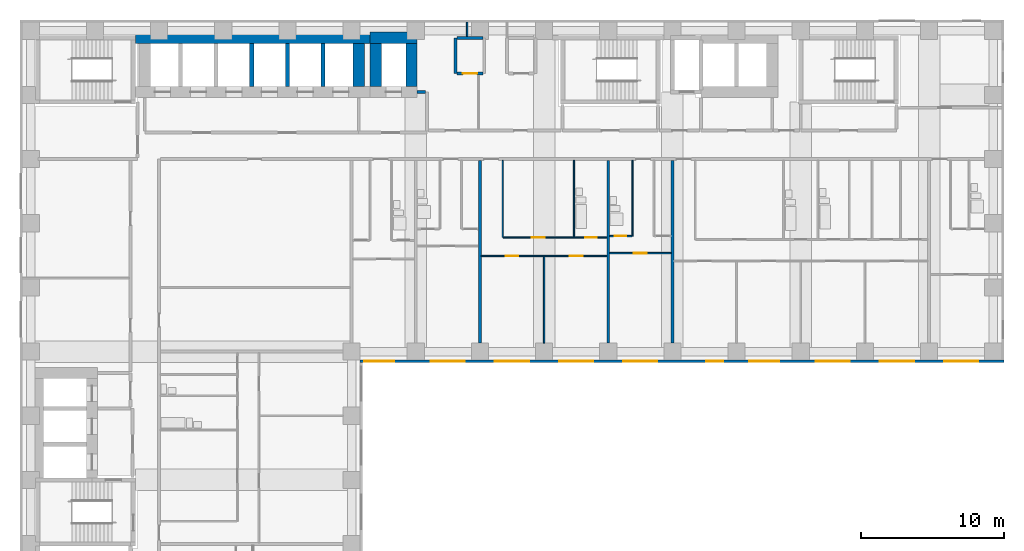
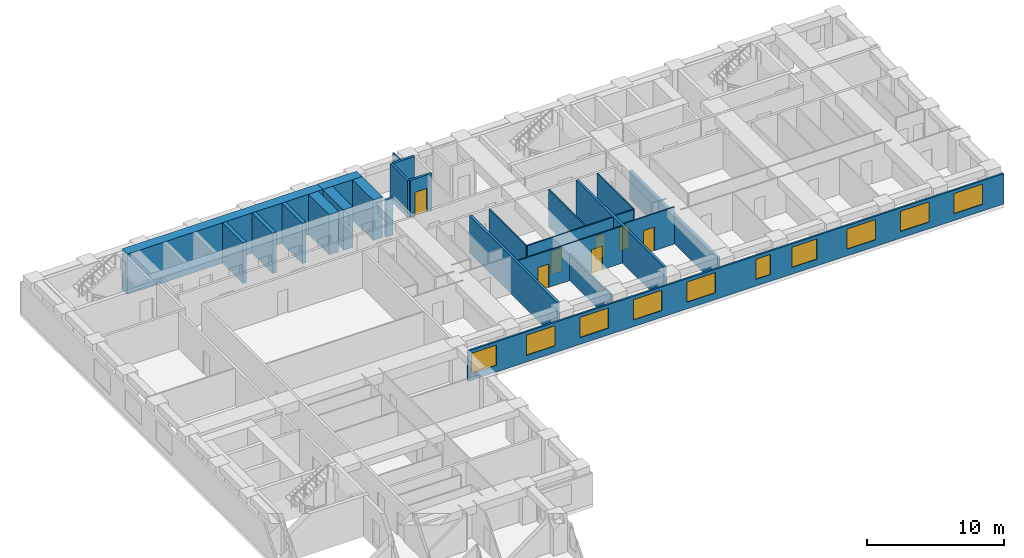
# One storey, part 6 of 12: 25 walls, 10 windows, 7 doors, 17 openings.
"""IFC4 building model written with IfcOpenShell, lengths in metres."""

from ifc_helpers import new_model, si_unit, direction, frame, frame_2d, origin, place, context, subcontext, project, spatial, rectangle, extrude, material, layer, layer_set, type_object, element, fill, save


model = new_model("IFC4")

# Units and contexts
model_context = context("Model", 3, precision=1e-05, world=origin(), true_north=direction((0.0, 1.0)))
body_context = subcontext(model_context, "Body", "Model", "MODEL_VIEW")
ifc_project = project(units=[si_unit("LENGTHUNIT", "METRE"), si_unit("AREAUNIT", "SQUARE_METRE"), si_unit("VOLUMEUNIT", "CUBIC_METRE"), si_unit("PLANEANGLEUNIT", "RADIAN"), si_unit("MASSUNIT", "GRAM", prefix="KILO")], contexts=[model_context])

# Site, building, storey
site_placement = place(None, origin())
site = spatial("IfcSite", under=ifc_project, at=site_placement, CompositionType="ELEMENT")
building_placement = place(site_placement, origin())
building = spatial("IfcBuilding", under=site, at=building_placement, Name="Firuza Court", CompositionType="ELEMENT")
storey_placement = place(building_placement, frame((0.0, 0.0, 43.39990234375)))
storey = spatial("IfcBuildingStorey", under=building, at=storey_placement, Name="L09", CompositionType="ELEMENT", Elevation=43.39990234375)

# Walls
ifc_material_1 = material(Name="Moisture-resistant gypsum board partition")
ifc_layer_1 = layer(ifc_material_1, 0.10009765625)
ifc_layer_set_1 = layer_set([ifc_layer_1], Name="Moisture-resistant gypsum board partition")
wall_type_1 = type_object("IfcWallType", Name="Bathroom partition 100", PredefinedType="PLUMBINGWALL", material=ifc_layer_set_1)
wall_1_placement = place(storey_placement, frame((38.10009765625, 44.050048828125, 0.0), z_axis=(0.0, 0.0, 1.0), x_axis=(0.0, 1.0, 0.0)))
element("IfcWall", 1, at=wall_1_placement, inside=storey, type_object=wall_type_1, Name="Bathroom partition 100 L09", PredefinedType="PLUMBINGWALL", context=body_context, shape_type="SweptSolid", body=[
    extrude(rectangle(XDim=5.349853515625, YDim=0.10009765625, at=frame_2d((2.6748046875, 0.0))), origin(), (0.0, 0.0, 1.0), 3.300048828125),
])
wall_2_placement = place(storey_placement, frame((42.199951171875, 44.10009765625, 0.0), z_axis=(0.0, 0.0, 1.0), x_axis=(0.0, 1.0, 0.0)))
element("IfcWall", 2, at=wall_2_placement, inside=storey, type_object=wall_type_1, Name="Bathroom partition 100 L09", PredefinedType="PLUMBINGWALL", context=body_context, shape_type="SweptSolid", body=[
    extrude(rectangle(XDim=5.2998046875, YDim=0.10009765625, at=frame_2d((2.64990234375, 0.0))), origin(), (0.0, 0.0, 1.0), 3.300048828125),
])
ifc_material_2 = material(Name="Concrete C60/75", Category="concrete")
ifc_layer_2 = layer(ifc_material_2, 0.300048828125)
ifc_layer_set_2 = layer_set([ifc_layer_2], Name="Concrete C60/75")
wall_type_2 = type_object("IfcWallType", Name="Core wall 300 C60/75", PredefinedType="SHEAR", material=ifc_layer_set_2)
for number, where, z_axis, x_axis, name in (
    (3, (15.5, 54.60009765625, -0.2998046875), (0.0, 0.0, 1.0), (0.0, 1.0, 0.0), "Core wall lift shaft L09"),
    (4, (18.0, 54.60009765625, -0.2998046875), (0.0, 0.0, 1.0), (0.0, 1.0, 0.0), "Core wall lift shaft L09"),
    (5, (20.5, 54.60009765625, -0.2998046875), (0.0, 0.0, 1.0), (0.0, 1.0, 0.0), "Core wall lift shaft L09"),
):
    element("IfcWall", number, at=place(storey_placement, frame(where, z_axis=z_axis, x_axis=x_axis)), inside=storey, type_object=wall_type_2, Name=name, PredefinedType="SHEAR", context=body_context, shape_type="SweptSolid", body=[
        extrude(rectangle(XDim=3.0, YDim=0.300048828125, at=frame_2d((1.5, 0.0))), origin(), (0.0, 0.0, 1.0), 3.599853515625),
    ])
ifc_layer_3 = layer(ifc_material_2, 0.800048828125)
ifc_layer_set_3 = layer_set([ifc_layer_3], Name="Concrete C60/75")
wall_type_3 = type_object("IfcWallType", Name="Core wall 800 C60/75", PredefinedType="SHEAR", material=ifc_layer_set_3)
wall_3_placement = place(storey_placement, frame((7.35009765625, 58.0, -0.2998046875), z_axis=(0.0, 0.0, 1.0), x_axis=(1.0, 0.0, 0.0)))
element("IfcWall", 6, at=wall_3_placement, inside=storey, type_object=wall_type_3, Name="Core wall lift shaft L09", PredefinedType="SHEAR", context=body_context, shape_type="SweptSolid", body=[
    extrude(rectangle(XDim=16.449951171875, YDim=0.800048828125, at=frame_2d((8.22509765625, 0.0))), origin(), (0.0, 0.0, 1.0), 3.599853515625),
])
wall_4_placement = place(storey_placement, frame((23.0, 54.60009765625, -0.2998046875), z_axis=(0.0, 0.0, 1.0), x_axis=(0.0, 1.0, 0.0)))
element("IfcWall", 7, at=wall_4_placement, inside=storey, type_object=wall_type_3, Name="Core wall lift shaft L09", PredefinedType="SHEAR", context=body_context, shape_type="SweptSolid", body=[
    extrude(rectangle(XDim=3.0, YDim=0.800048828125, at=frame_2d((1.5, 0.0))), origin(), (0.0, 0.0, 1.0), 3.599853515625),
])
wall_5_placement = place(storey_placement, frame((23.800048828125, 58.0, -0.2998046875), z_axis=(0.0, 0.0, 1.0), x_axis=(1.0, 0.0, 0.0)))
element("IfcWall", 8, at=wall_5_placement, inside=storey, type_object=wall_type_3, Name="Core wall lift shaft L09", PredefinedType="SHEAR", context=body_context, shape_type="SweptSolid", body=[
    extrude(rectangle(XDim=3.300048828125, YDim=0.800048828125, at=frame_2d((1.64990234375, 0.0))), origin(), (0.0, 0.0, 1.0), 3.599853515625),
])
for number, where, z_axis, x_axis, name in (
    (9, (24.199951171875, 54.60009765625, -0.2998046875), (0.0, 0.0, 1.0), (0.0, 1.0, 0.0), "Core wall lift shaft L09"),
    (10, (26.699951171875, 54.60009765625, -0.2998046875), (0.0, 0.0, 1.0), (0.0, 1.0, 0.0), "Core wall lift shaft L09"),
):
    element("IfcWall", number, at=place(storey_placement, frame(where, z_axis=z_axis, x_axis=x_axis)), inside=storey, type_object=wall_type_3, Name=name, PredefinedType="SHEAR", context=body_context, shape_type="SweptSolid", body=[
        extrude(rectangle(XDim=3.0, YDim=0.800048828125, at=frame_2d((1.5, 0.0))), origin(), (0.0, 0.0, 1.0), 3.599853515625),
    ])
ifc_material_3 = material(Name="Timber stud partition, plasterboard both sides", Category="wood")
ifc_layer_4 = layer(ifc_material_3, 0.10009765625)
ifc_layer_set_4 = layer_set([ifc_layer_4], Name="Timber stud partition, plasterboard both sides")
wall_type_4 = type_object("IfcWallType", Name="Partition wall 100", PredefinedType="PARTITIONING", material=ifc_layer_set_4)
wall_6_placement = place(storey_placement, frame((36.0, 36.60009765625, 0.0), z_axis=(0.0, 0.0, 1.0), x_axis=(0.0, 1.0, 0.0)))
element("IfcWall", 11, at=wall_6_placement, inside=storey, type_object=wall_type_4, Name="Partition wall 100 L09", PredefinedType="PARTITIONING", context=body_context, shape_type="SweptSolid", body=[
    extrude(rectangle(XDim=6.0498046875, YDim=0.10009765625, at=frame_2d((3.02490234375, 0.0))), origin(), (0.0, 0.0, 1.0), 2.400146484375),
])

# Wall, openings, doors
wall_7_placement = place(storey_placement, frame((31.60009765625, 42.699951171875, 0.0), z_axis=(0.0, 0.0, 1.0), x_axis=(1.0, 0.0, 0.0)))
wall_7 = element("IfcWall", 12, at=wall_7_placement, inside=storey, type_object=wall_type_4, Name="Partition wall 100 L09", PredefinedType="PARTITIONING", context=body_context, shape_type="SweptSolid", body=[
    extrude(rectangle(XDim=8.7998046875, YDim=0.10009765625, at=frame_2d((4.39990234375, 0.0))), origin(), (0.0, 0.0, 1.0), 3.300048828125),
])
opening_1_placement = place(wall_7_placement, frame((1.699951171875, 0.0, 0.0)))
opening_1 = element("IfcOpeningElement", 13, at=opening_1_placement, cuts=wall_7, Name="Opening D09049", PredefinedType="OPENING", context=body_context, shape_type="SweptSolid", body=[
    extrude(rectangle(XDim=0.89990234375, YDim=2.10009765625, at=frame_2d((0.449951171875, 1.050048828125))), frame((0.0, 0.06201171875, 0.0), z_axis=(0.0, -1.0, 0.0), x_axis=(1.0, 0.0, 0.0)), (0.0, 0.0, 1.0), 0.1240234375),
])
opening_2_placement = place(wall_7_placement, frame((6.199951171875, 0.0, 0.0)))
opening_2 = element("IfcOpeningElement", 14, at=opening_2_placement, cuts=wall_7, Name="Opening D09050", PredefinedType="OPENING", context=body_context, shape_type="SweptSolid", body=[
    extrude(rectangle(XDim=0.89990234375, YDim=2.10009765625, at=frame_2d((0.449951171875, 1.050048828125))), frame((0.0, 0.06201171875, 0.0), z_axis=(0.0, -1.0, 0.0), x_axis=(1.0, 0.0, 0.0)), (0.0, 0.0, 1.0), 0.1240234375),
])
ifc_material_4 = material(Name="Timber door leaf in hardwood frame", Category="wood")
door_type_1 = type_object("IfcDoorType", Name="Room door 900", OperationType="SINGLE_SWING_LEFT", PredefinedType="DOOR", material=ifc_material_4)
door_1_placement = place(opening_1_placement, frame((0.89990234375, 0.0, 0.0), z_axis=(0.0, 0.0, 1.0), x_axis=(-1.0, 0.0, 0.0)))
door_1 = element("IfcDoor", 15, at=door_1_placement, inside=storey, type_object=door_type_1, Name="Bedroom door", OperationType="SINGLE_SWING_RIGHT", OverallHeight=2.10009765625, OverallWidth=0.89990234375, PredefinedType="DOOR", context=body_context, shape_type="SweptSolid", body=[
    extrude(rectangle(XDim=0.89990234375, YDim=2.10009765625, at=frame_2d((0.449951171875, 1.050048828125))), frame((0.0, 0.02490234375, 0.0), z_axis=(0.0, -1.0, 0.0), x_axis=(1.0, 0.0, 0.0)), (0.0, 0.0, 1.0), 0.050048828125),
])
fill(opening_1, door_1)
door_2_placement = place(opening_2_placement, frame((0.89990234375, 0.0, 0.0), z_axis=(0.0, 0.0, 1.0), x_axis=(-1.0, 0.0, 0.0)))
door_2 = element("IfcDoor", 16, at=door_2_placement, inside=storey, type_object=door_type_1, Name="Living room door", OperationType="SINGLE_SWING_RIGHT", OverallHeight=2.10009765625, OverallWidth=0.89990234375, PredefinedType="DOOR", context=body_context, shape_type="SweptSolid", body=[
    extrude(rectangle(XDim=0.89990234375, YDim=2.10009765625, at=frame_2d((0.449951171875, 1.050048828125))), frame((0.0, 0.02490234375, 0.0), z_axis=(0.0, -1.0, 0.0), x_axis=(1.0, 0.0, 0.0)), (0.0, 0.0, 1.0), 0.050048828125),
])
fill(opening_2, door_2)

# Wall, opening, door
wall_8_placement = place(storey_placement, frame((40.60009765625, 42.89990234375, 0.0), z_axis=(0.0, 0.0, 1.0), x_axis=(1.0, 0.0, 0.0)))
wall_8 = element("IfcWall", 17, at=wall_8_placement, inside=storey, type_object=wall_type_4, Name="Partition wall 100 L09", PredefinedType="PARTITIONING", context=body_context, shape_type="SweptSolid", body=[
    extrude(rectangle(XDim=4.2998046875, YDim=0.10009765625, at=frame_2d((2.14990234375, 0.0))), origin(), (0.0, 0.0, 1.0), 3.300048828125),
])
opening_3_placement = place(wall_8_placement, frame((1.699951171875, 0.0, 0.0)))
opening_3 = element("IfcOpeningElement", 18, at=opening_3_placement, cuts=wall_8, Name="Opening D09051", PredefinedType="OPENING", context=body_context, shape_type="SweptSolid", body=[
    extrude(rectangle(XDim=0.89990234375, YDim=2.10009765625, at=frame_2d((0.449951171875, 1.050048828125))), frame((0.0, 0.06201171875, 0.0), z_axis=(0.0, -1.0, 0.0), x_axis=(1.0, 0.0, 0.0)), (0.0, 0.0, 1.0), 0.1240234375),
])
door_3_placement = place(opening_3_placement, frame((0.89990234375, 0.0, 0.0), z_axis=(0.0, 0.0, 1.0), x_axis=(-1.0, 0.0, 0.0)))
door_3 = element("IfcDoor", 19, at=door_3_placement, inside=storey, type_object=door_type_1, Name="Studio room door", OperationType="SINGLE_SWING_RIGHT", OverallHeight=2.10009765625, OverallWidth=0.89990234375, PredefinedType="DOOR", context=body_context, shape_type="SweptSolid", body=[
    extrude(rectangle(XDim=0.89990234375, YDim=2.10009765625, at=frame_2d((0.449951171875, 1.050048828125))), frame((0.0, 0.02490234375, 0.0), z_axis=(0.0, -1.0, 0.0), x_axis=(1.0, 0.0, 0.0)), (0.0, 0.0, 1.0), 0.050048828125),
])
fill(opening_3, door_3)

# Wall
wall_9_placement = place(storey_placement, frame((33.10009765625, 44.0, 0.0), z_axis=(0.0, 0.0, 1.0), x_axis=(0.0, 1.0, 0.0)))
element("IfcWall", 20, at=wall_9_placement, inside=storey, type_object=wall_type_4, Name="Partition wall 100 L09", PredefinedType="PARTITIONING", context=body_context, shape_type="SweptSolid", body=[
    extrude(rectangle(XDim=5.39990234375, YDim=0.10009765625, at=frame_2d((2.699951171875, 0.0))), origin(), (0.0, 0.0, 1.0), 3.300048828125),
])

# Wall, openings, doors
wall_10_placement = place(storey_placement, frame((33.14990234375, 44.0, 0.0), z_axis=(0.0, 0.0, 1.0), x_axis=(1.0, 0.0, 0.0)))
wall_10 = element("IfcWall", 21, at=wall_10_placement, inside=storey, type_object=wall_type_4, Name="Partition wall 100 L09", PredefinedType="PARTITIONING", context=body_context, shape_type="SweptSolid", body=[
    extrude(rectangle(XDim=7.25, YDim=0.10009765625, at=frame_2d((3.625, 0.0))), origin(), (0.0, 0.0, 1.0), 3.300048828125),
])
opening_4_placement = place(wall_10_placement, frame((5.75, 0.0, 0.0)))
opening_4 = element("IfcOpeningElement", 22, at=opening_4_placement, cuts=wall_10, Name="Opening D09061", PredefinedType="OPENING", context=body_context, shape_type="SweptSolid", body=[
    extrude(rectangle(XDim=0.800048828125, YDim=2.10009765625, at=frame_2d((0.39990234375, 1.050048828125))), frame((0.0, 0.06201171875, 0.0), z_axis=(0.0, -1.0, 0.0), x_axis=(1.0, 0.0, 0.0)), (0.0, 0.0, 1.0), 0.1240234375),
])
opening_5_placement = place(wall_10_placement, frame((2.0, 0.0, 0.0)))
opening_5 = element("IfcOpeningElement", 23, at=opening_5_placement, cuts=wall_10, Name="Opening D09062", PredefinedType="OPENING", context=body_context, shape_type="SweptSolid", body=[
    extrude(rectangle(XDim=0.89990234375, YDim=2.10009765625, at=frame_2d((0.449951171875, 1.050048828125))), frame((0.0, 0.06201171875, 0.0), z_axis=(0.0, -1.0, 0.0), x_axis=(1.0, 0.0, 0.0)), (0.0, 0.0, 1.0), 0.1240234375),
])
ifc_material_5 = material(Name="Timber door leaf in hardwood frame", Category="wood")
door_type_2 = type_object("IfcDoorType", Name="Bathroom door 800", OperationType="SINGLE_SWING_LEFT", PredefinedType="DOOR", material=ifc_material_5)
door_4_placement = place(opening_4_placement, origin())
door_4 = element("IfcDoor", 24, at=door_4_placement, inside=storey, type_object=door_type_2, Name="Bathroom door", OperationType="SINGLE_SWING_LEFT", OverallHeight=2.10009765625, OverallWidth=0.800048828125, PredefinedType="DOOR", context=body_context, shape_type="SweptSolid", body=[
    extrude(rectangle(XDim=0.800048828125, YDim=2.10009765625, at=frame_2d((0.39990234375, 1.050048828125))), frame((0.0, 0.02490234375, 0.0), z_axis=(0.0, -1.0, 0.0), x_axis=(1.0, 0.0, 0.0)), (0.0, 0.0, 1.0), 0.050048828125),
])
fill(opening_4, door_4)
door_5_placement = place(opening_5_placement, origin())
door_5 = element("IfcDoor", 25, at=door_5_placement, inside=storey, type_object=door_type_1, Name="Kitchen door", OperationType="SINGLE_SWING_LEFT", OverallHeight=2.10009765625, OverallWidth=0.89990234375, PredefinedType="DOOR", context=body_context, shape_type="SweptSolid", body=[
    extrude(rectangle(XDim=0.89990234375, YDim=2.10009765625, at=frame_2d((0.449951171875, 1.050048828125))), frame((0.0, 0.02490234375, 0.0), z_axis=(0.0, -1.0, 0.0), x_axis=(1.0, 0.0, 0.0)), (0.0, 0.0, 1.0), 0.050048828125),
])
fill(opening_5, door_5)

# Wall, opening, door
wall_11_placement = place(storey_placement, frame((40.60009765625, 44.10009765625, 0.0), z_axis=(0.0, 0.0, 1.0), x_axis=(1.0, 0.0, 0.0)))
wall_11 = element("IfcWall", 26, at=wall_11_placement, inside=storey, type_object=wall_type_4, Name="Partition wall 100 L09", PredefinedType="PARTITIONING", context=body_context, shape_type="SweptSolid", body=[
    extrude(rectangle(XDim=1.5498046875, YDim=0.10009765625, at=frame_2d((0.77490234375, 0.0))), origin(), (0.0, 0.0, 1.0), 3.300048828125),
])
opening_6_placement = place(wall_11_placement, frame((0.35009765625, 0.0, 0.0)))
opening_6 = element("IfcOpeningElement", 27, at=opening_6_placement, cuts=wall_11, Name="Opening D09063", PredefinedType="OPENING", context=body_context, shape_type="SweptSolid", body=[
    extrude(rectangle(XDim=0.800048828125, YDim=2.10009765625, at=frame_2d((0.39990234375, 1.050048828125))), frame((0.0, 0.06201171875, 0.0), z_axis=(0.0, -1.0, 0.0), x_axis=(1.0, 0.0, 0.0)), (0.0, 0.0, 1.0), 0.1240234375),
])
door_6_placement = place(opening_6_placement, origin())
door_6 = element("IfcDoor", 28, at=door_6_placement, inside=storey, type_object=door_type_2, Name="Bathroom door", OperationType="SINGLE_SWING_LEFT", OverallHeight=2.10009765625, OverallWidth=0.800048828125, PredefinedType="DOOR", context=body_context, shape_type="SweptSolid", body=[
    extrude(rectangle(XDim=0.800048828125, YDim=2.10009765625, at=frame_2d((0.39990234375, 1.050048828125))), frame((0.0, 0.02490234375, 0.0), z_axis=(0.0, -1.0, 0.0), x_axis=(1.0, 0.0, 0.0)), (0.0, 0.0, 1.0), 0.050048828125),
])
fill(opening_6, door_6)

# Walls
wall_12_placement = place(storey_placement, frame((30.60009765625, 58.10009765625, 0.0), z_axis=(0.0, 0.0, 1.0), x_axis=(0.0, 1.0, 0.0)))
element("IfcWall", 29, at=wall_12_placement, inside=storey, type_object=wall_type_4, Name="Partition wall 100 L09", PredefinedType="PARTITIONING", context=body_context, shape_type="SweptSolid", body=[
    extrude(rectangle(XDim=1.0, YDim=0.10009765625, at=frame_2d((0.5, 0.0))), origin(), (0.0, 0.0, 1.0), 3.300048828125),
])
ifc_material_6 = material(Name="Blockwork, plastered both sides", Category="masonry")
ifc_layer_5 = layer(ifc_material_6, 0.199951171875)
ifc_layer_set_5 = layer_set([ifc_layer_5], Name="Blockwork, plastered both sides")
wall_type_5 = type_object("IfcWallType", Name="Party wall 200", PredefinedType="PARTITIONING", material=ifc_layer_set_5)
for number, where, z_axis, x_axis, name in (
    (30, (31.5, 36.60009765625, 0.0), (0.0, 0.0, 1.0), (0.0, 1.0, 0.0), "Party wall 200 L09"),
    (31, (40.5, 36.60009765625, 0.0), (0.0, 0.0, 1.0), (0.0, 1.0, 0.0), "Party wall 200 L09"),
):
    element("IfcWall", number, at=place(storey_placement, frame(where, z_axis=z_axis, x_axis=x_axis)), inside=storey, type_object=wall_type_5, Name=name, PredefinedType="PARTITIONING", context=body_context, shape_type="SweptSolid", body=[
        extrude(rectangle(XDim=12.7998046875, YDim=0.199951171875, at=frame_2d((6.39990234375, 0.0))), origin(), (0.0, 0.0, 1.0), 3.300048828125),
    ])
wall_13_placement = place(storey_placement, frame((45.0, 36.60009765625, 0.0), z_axis=(0.0, 0.0, 1.0), x_axis=(0.0, 1.0, 0.0)))
element("IfcWall", 32, at=wall_13_placement, inside=storey, type_object=wall_type_5, Name="Party wall 200 L09", PredefinedType="PARTITIONING", context=body_context, shape_type="SweptSolid", body=[
    extrude(rectangle(XDim=12.7998046875, YDim=0.199951171875, at=frame_2d((6.39990234375, 0.0))), origin(), (0.0, 0.0, 1.0), 2.60009765625),
])
ifc_material_7 = material(Name="Blockwork, fire-rated", Category="masonry")
ifc_layer_6 = layer(ifc_material_7, 0.199951171875)
ifc_layer_set_6 = layer_set([ifc_layer_6], Name="Blockwork, fire-rated")
wall_type_6 = type_object("IfcWallType", Name="Plant room wall 200", PredefinedType="PARTITIONING", material=ifc_layer_set_6)
wall_14_placement = place(storey_placement, frame((29.800048828125, 55.5, 0.0), z_axis=(0.0, 0.0, 1.0), x_axis=(0.0, 1.0, 0.0)))
element("IfcWall", 33, at=wall_14_placement, inside=storey, type_object=wall_type_6, Name="Plant room wall 200 L09", PredefinedType="PARTITIONING", context=body_context, shape_type="SweptSolid", body=[
    extrude(rectangle(XDim=2.5, YDim=0.199951171875, at=frame_2d((1.25, 0.0))), origin(), (0.0, 0.0, 1.0), 3.300048828125),
])

# Wall, opening, door
wall_15_placement = place(storey_placement, frame((29.89990234375, 55.5, 0.0), z_axis=(0.0, 0.0, 1.0), x_axis=(1.0, 0.0, 0.0)))
wall_15 = element("IfcWall", 34, at=wall_15_placement, inside=storey, type_object=wall_type_6, Name="Plant room wall 200 L09", PredefinedType="PARTITIONING", context=body_context, shape_type="SweptSolid", body=[
    extrude(rectangle(XDim=1.800048828125, YDim=0.199951171875, at=frame_2d((0.89990234375, 0.0))), origin(), (0.0, 0.0, 1.0), 3.300048828125),
])
opening_7_placement = place(wall_15_placement, frame((0.39990234375, 0.0, 0.0)))
opening_7 = element("IfcOpeningElement", 35, at=opening_7_placement, cuts=wall_15, Name="Opening D09081", PredefinedType="OPENING", context=body_context, shape_type="SweptSolid", body=[
    extrude(rectangle(XDim=1.0, YDim=2.10009765625, at=frame_2d((0.5, 1.050048828125))), frame((0.0, 0.11181640625, 0.0), z_axis=(0.0, -1.0, 0.0), x_axis=(1.0, 0.0, 0.0)), (0.0, 0.0, 1.0), 0.223876953125),
])
ifc_material_8 = material(Name="Timber door leaf in hardwood frame", Category="wood")
door_type_3 = type_object("IfcDoorType", Name="Riser door 1000", OperationType="SINGLE_SWING_LEFT", PredefinedType="DOOR", material=ifc_material_8)
door_7_placement = place(opening_7_placement, origin())
door_7 = element("IfcDoor", 36, at=door_7_placement, inside=storey, type_object=door_type_3, Name="Electrical riser door", OperationType="SINGLE_SWING_LEFT", OverallHeight=2.10009765625, OverallWidth=1.0, PredefinedType="DOOR", context=body_context, shape_type="SweptSolid", body=[
    extrude(rectangle(XDim=1.0, YDim=2.10009765625, at=frame_2d((0.5, 1.050048828125))), frame((0.0, 0.02490234375, 0.0), z_axis=(0.0, -1.0, 0.0), x_axis=(1.0, 0.0, 0.0)), (0.0, 0.0, 1.0), 0.050048828125),
])
fill(opening_7, door_7)

# Wall
wall_16_placement = place(storey_placement, frame((29.89990234375, 58.0, 0.0), z_axis=(0.0, 0.0, 1.0), x_axis=(1.0, 0.0, 0.0)))
element("IfcWall", 37, at=wall_16_placement, inside=storey, type_object=wall_type_6, Name="Plant room wall 200 L09", PredefinedType="PARTITIONING", context=body_context, shape_type="SweptSolid", body=[
    extrude(rectangle(XDim=1.800048828125, YDim=0.199951171875, at=frame_2d((0.89990234375, 0.0))), origin(), (0.0, 0.0, 1.0), 3.300048828125),
])

# Wall, openings, windows
ifc_material_9 = material(Name="Ceramic tile", Category="ceramic")
ifc_layer_7 = layer(ifc_material_9, 0.02001953125)
ifc_material_10 = material(Name="Mineral wool insulation", Category="insulation")
ifc_layer_8 = layer(ifc_material_10, 0.050048828125)
ifc_material_11 = material(Name="Concrete C40/50 precast", Category="concrete")
ifc_layer_9 = layer(ifc_material_11, 0.080078125)
ifc_layer_set_7 = layer_set([ifc_layer_7, ifc_layer_8, ifc_layer_9], Name="Concrete C40/50 precast")
wall_type_7 = type_object("IfcWallType", Name="Precast cladding wall with turquoise TILE PANEL face 150", PredefinedType="STANDARD", material=ifc_layer_set_7)
wall_17_placement = place(storey_placement, frame((23.10009765625, 35.324951171875, 0.0), z_axis=(0.0, 0.0, 1.0), x_axis=(1.0, 0.0, 0.0)))
wall_17 = element("IfcWall", 38, at=wall_17_placement, inside=storey, type_object=wall_type_7, Name="Facade wall L09 S", PredefinedType="STANDARD", context=body_context, shape_type="SweptSolid", body=[
    extrude(rectangle(XDim=45.14990234375, YDim=0.14990234375, at=frame_2d((22.574951171875, 0.0))), origin(), (0.0, 0.0, 1.0), 2.7001953125),
])
opening_8_placement = place(wall_17_placement, frame((0.302978515625, 0.0, 0.60009765625)))
opening_8 = element("IfcOpeningElement", 39, at=opening_8_placement, cuts=wall_17, Name="Opening W6", PredefinedType="OPENING", context=body_context, shape_type="SweptSolid", body=[
    extrude(rectangle(XDim=2.10009765625, YDim=1.800048828125, at=frame_2d((1.050048828125, 0.89990234375))), frame((0.0, 0.0869140625, 0.0), z_axis=(0.0, -1.0, 0.0), x_axis=(1.0, 0.0, 0.0)), (0.0, 0.0, 1.0), 0.173828125),
])
opening_9_placement = place(wall_17_placement, frame((4.949951171875, 0.0, 0.60009765625)))
opening_9 = element("IfcOpeningElement", 40, at=opening_9_placement, cuts=wall_17, Name="Opening W1", PredefinedType="OPENING", context=body_context, shape_type="SweptSolid", body=[
    extrude(rectangle(XDim=2.39990234375, YDim=1.800048828125, at=frame_2d((1.199951171875, 0.89990234375))), frame((0.0, 0.0869140625, 0.0), z_axis=(0.0, -1.0, 0.0), x_axis=(1.0, 0.0, 0.0)), (0.0, 0.0, 1.0), 0.173828125),
])
opening_10_placement = place(wall_17_placement, frame((9.449951171875, 0.0, 0.60009765625)))
opening_10 = element("IfcOpeningElement", 41, at=opening_10_placement, cuts=wall_17, Name="Opening W1", PredefinedType="OPENING", context=body_context, shape_type="SweptSolid", body=[
    extrude(rectangle(XDim=2.39990234375, YDim=1.800048828125, at=frame_2d((1.199951171875, 0.89990234375))), frame((0.0, 0.0869140625, 0.0), z_axis=(0.0, -1.0, 0.0), x_axis=(1.0, 0.0, 0.0)), (0.0, 0.0, 1.0), 0.173828125),
])
opening_11_placement = place(wall_17_placement, frame((13.949951171875, 0.0, 0.60009765625)))
opening_11 = element("IfcOpeningElement", 42, at=opening_11_placement, cuts=wall_17, Name="Opening W1", PredefinedType="OPENING", context=body_context, shape_type="SweptSolid", body=[
    extrude(rectangle(XDim=2.39990234375, YDim=1.800048828125, at=frame_2d((1.199951171875, 0.89990234375))), frame((0.0, 0.0869140625, 0.0), z_axis=(0.0, -1.0, 0.0), x_axis=(1.0, 0.0, 0.0)), (0.0, 0.0, 1.0), 0.173828125),
])
opening_12_placement = place(wall_17_placement, frame((18.449951171875, 0.0, 0.60009765625)))
opening_12 = element("IfcOpeningElement", 43, at=opening_12_placement, cuts=wall_17, Name="Opening W1", PredefinedType="OPENING", context=body_context, shape_type="SweptSolid", body=[
    extrude(rectangle(XDim=2.39990234375, YDim=1.800048828125, at=frame_2d((1.199951171875, 0.89990234375))), frame((0.0, 0.0869140625, 0.0), z_axis=(0.0, -1.0, 0.0), x_axis=(1.0, 0.0, 0.0)), (0.0, 0.0, 1.0), 0.173828125),
])
opening_13_placement = place(wall_17_placement, frame((24.276611328125, 0.0, 0.60009765625)))
opening_13 = element("IfcOpeningElement", 44, at=opening_13_placement, cuts=wall_17, Name="Opening W8", PredefinedType="OPENING", context=body_context, shape_type="SweptSolid", body=[
    extrude(rectangle(XDim=1.199951171875, YDim=1.800048828125, at=frame_2d((0.60009765625, 0.89990234375))), frame((0.0, 0.0869140625, 0.0), z_axis=(0.0, -1.0, 0.0), x_axis=(1.0, 0.0, 0.0)), (0.0, 0.0, 1.0), 0.173828125),
])
opening_14_placement = place(wall_17_placement, frame((27.29736328125, 0.0, 0.60009765625)))
opening_14 = element("IfcOpeningElement", 45, at=opening_14_placement, cuts=wall_17, Name="Opening W6", PredefinedType="OPENING", context=body_context, shape_type="SweptSolid", body=[
    extrude(rectangle(XDim=2.10009765625, YDim=1.800048828125, at=frame_2d((1.050048828125, 0.89990234375))), frame((0.0, 0.0869140625, 0.0), z_axis=(0.0, -1.0, 0.0), x_axis=(1.0, 0.0, 0.0)), (0.0, 0.0, 1.0), 0.173828125),
])
opening_15_placement = place(wall_17_placement, frame((31.949951171875, 0.0, 0.60009765625)))
opening_15 = element("IfcOpeningElement", 46, at=opening_15_placement, cuts=wall_17, Name="Opening W1", PredefinedType="OPENING", context=body_context, shape_type="SweptSolid", body=[
    extrude(rectangle(XDim=2.39990234375, YDim=1.800048828125, at=frame_2d((1.199951171875, 0.89990234375))), frame((0.0, 0.0869140625, 0.0), z_axis=(0.0, -1.0, 0.0), x_axis=(1.0, 0.0, 0.0)), (0.0, 0.0, 1.0), 0.173828125),
])
opening_16_placement = place(wall_17_placement, frame((36.449951171875, 0.0, 0.60009765625)))
opening_16 = element("IfcOpeningElement", 47, at=opening_16_placement, cuts=wall_17, Name="Opening W1", PredefinedType="OPENING", context=body_context, shape_type="SweptSolid", body=[
    extrude(rectangle(XDim=2.39990234375, YDim=1.800048828125, at=frame_2d((1.199951171875, 0.89990234375))), frame((0.0, 0.0869140625, 0.0), z_axis=(0.0, -1.0, 0.0), x_axis=(1.0, 0.0, 0.0)), (0.0, 0.0, 1.0), 0.173828125),
])
opening_17_placement = place(wall_17_placement, frame((40.949951171875, 0.0, 0.60009765625)))
opening_17 = element("IfcOpeningElement", 48, at=opening_17_placement, cuts=wall_17, Name="Opening W1", PredefinedType="OPENING", context=body_context, shape_type="SweptSolid", body=[
    extrude(rectangle(XDim=2.39990234375, YDim=1.800048828125, at=frame_2d((1.199951171875, 0.89990234375))), frame((0.0, 0.0869140625, 0.0), z_axis=(0.0, -1.0, 0.0), x_axis=(1.0, 0.0, 0.0)), (0.0, 0.0, 1.0), 0.173828125),
])
ifc_material_12 = material(Name="Aluminium frame, triple clear glazing", Category="aluminium")
window_type_1 = type_object("IfcWindowType", Name="Window W1 2400 x 1800", PartitioningType="SINGLE_PANEL", PredefinedType="WINDOW", material=ifc_material_12)
window_1_placement = place(opening_9_placement, origin())
window_1 = element("IfcWindow", 49, at=window_1_placement, inside=storey, type_object=window_type_1, Name="Window L09", OverallHeight=1.800048828125, OverallWidth=2.39990234375, PartitioningType="SINGLE_PANEL", PredefinedType="WINDOW", context=body_context, shape_type="SweptSolid", body=[
    extrude(rectangle(XDim=2.39990234375, YDim=1.800048828125, at=frame_2d((1.199951171875, 0.89990234375))), frame((0.0, 0.030029296875, 0.0), z_axis=(0.0, -1.0, 0.0), x_axis=(1.0, 0.0, 0.0)), (0.0, 0.0, 1.0), 0.06005859375),
])
fill(opening_9, window_1)
window_2_placement = place(opening_10_placement, origin())
window_2 = element("IfcWindow", 50, at=window_2_placement, inside=storey, type_object=window_type_1, Name="Window L09", OverallHeight=1.800048828125, OverallWidth=2.39990234375, PartitioningType="SINGLE_PANEL", PredefinedType="WINDOW", context=body_context, shape_type="SweptSolid", body=[
    extrude(rectangle(XDim=2.39990234375, YDim=1.800048828125, at=frame_2d((1.199951171875, 0.89990234375))), frame((0.0, 0.030029296875, 0.0), z_axis=(0.0, -1.0, 0.0), x_axis=(1.0, 0.0, 0.0)), (0.0, 0.0, 1.0), 0.06005859375),
])
fill(opening_10, window_2)
window_3_placement = place(opening_11_placement, origin())
window_3 = element("IfcWindow", 51, at=window_3_placement, inside=storey, type_object=window_type_1, Name="Window L09", OverallHeight=1.800048828125, OverallWidth=2.39990234375, PartitioningType="SINGLE_PANEL", PredefinedType="WINDOW", context=body_context, shape_type="SweptSolid", body=[
    extrude(rectangle(XDim=2.39990234375, YDim=1.800048828125, at=frame_2d((1.199951171875, 0.89990234375))), frame((0.0, 0.030029296875, 0.0), z_axis=(0.0, -1.0, 0.0), x_axis=(1.0, 0.0, 0.0)), (0.0, 0.0, 1.0), 0.06005859375),
])
fill(opening_11, window_3)
window_4_placement = place(opening_12_placement, origin())
window_4 = element("IfcWindow", 52, at=window_4_placement, inside=storey, type_object=window_type_1, Name="Window L09", OverallHeight=1.800048828125, OverallWidth=2.39990234375, PartitioningType="SINGLE_PANEL", PredefinedType="WINDOW", context=body_context, shape_type="SweptSolid", body=[
    extrude(rectangle(XDim=2.39990234375, YDim=1.800048828125, at=frame_2d((1.199951171875, 0.89990234375))), frame((0.0, 0.030029296875, 0.0), z_axis=(0.0, -1.0, 0.0), x_axis=(1.0, 0.0, 0.0)), (0.0, 0.0, 1.0), 0.06005859375),
])
fill(opening_12, window_4)
window_5_placement = place(opening_15_placement, origin())
window_5 = element("IfcWindow", 53, at=window_5_placement, inside=storey, type_object=window_type_1, Name="Window L09", OverallHeight=1.800048828125, OverallWidth=2.39990234375, PartitioningType="SINGLE_PANEL", PredefinedType="WINDOW", context=body_context, shape_type="SweptSolid", body=[
    extrude(rectangle(XDim=2.39990234375, YDim=1.800048828125, at=frame_2d((1.199951171875, 0.89990234375))), frame((0.0, 0.030029296875, 0.0), z_axis=(0.0, -1.0, 0.0), x_axis=(1.0, 0.0, 0.0)), (0.0, 0.0, 1.0), 0.06005859375),
])
fill(opening_15, window_5)
window_6_placement = place(opening_16_placement, origin())
window_6 = element("IfcWindow", 54, at=window_6_placement, inside=storey, type_object=window_type_1, Name="Window L09", OverallHeight=1.800048828125, OverallWidth=2.39990234375, PartitioningType="SINGLE_PANEL", PredefinedType="WINDOW", context=body_context, shape_type="SweptSolid", body=[
    extrude(rectangle(XDim=2.39990234375, YDim=1.800048828125, at=frame_2d((1.199951171875, 0.89990234375))), frame((0.0, 0.030029296875, 0.0), z_axis=(0.0, -1.0, 0.0), x_axis=(1.0, 0.0, 0.0)), (0.0, 0.0, 1.0), 0.06005859375),
])
fill(opening_16, window_6)
window_7_placement = place(opening_17_placement, origin())
window_7 = element("IfcWindow", 55, at=window_7_placement, inside=storey, type_object=window_type_1, Name="Window L09", OverallHeight=1.800048828125, OverallWidth=2.39990234375, PartitioningType="SINGLE_PANEL", PredefinedType="WINDOW", context=body_context, shape_type="SweptSolid", body=[
    extrude(rectangle(XDim=2.39990234375, YDim=1.800048828125, at=frame_2d((1.199951171875, 0.89990234375))), frame((0.0, 0.030029296875, 0.0), z_axis=(0.0, -1.0, 0.0), x_axis=(1.0, 0.0, 0.0)), (0.0, 0.0, 1.0), 0.06005859375),
])
fill(opening_17, window_7)
ifc_material_13 = material(Name="Aluminium frame, triple clear glazing", Category="aluminium")
window_type_2 = type_object("IfcWindowType", Name="Window W6 2100 x 1800", PartitioningType="SINGLE_PANEL", PredefinedType="WINDOW", material=ifc_material_13)
window_8_placement = place(opening_8_placement, origin())
window_8 = element("IfcWindow", 56, at=window_8_placement, inside=storey, type_object=window_type_2, Name="Window L09", OverallHeight=1.800048828125, OverallWidth=2.10009765625, PartitioningType="SINGLE_PANEL", PredefinedType="WINDOW", context=body_context, shape_type="SweptSolid", body=[
    extrude(rectangle(XDim=2.10009765625, YDim=1.800048828125, at=frame_2d((1.050048828125, 0.89990234375))), frame((0.0, 0.030029296875, 0.0), z_axis=(0.0, -1.0, 0.0), x_axis=(1.0, 0.0, 0.0)), (0.0, 0.0, 1.0), 0.06005859375),
])
fill(opening_8, window_8)
window_9_placement = place(opening_14_placement, origin())
window_9 = element("IfcWindow", 57, at=window_9_placement, inside=storey, type_object=window_type_2, Name="Window L09", OverallHeight=1.800048828125, OverallWidth=2.10009765625, PartitioningType="SINGLE_PANEL", PredefinedType="WINDOW", context=body_context, shape_type="SweptSolid", body=[
    extrude(rectangle(XDim=2.10009765625, YDim=1.800048828125, at=frame_2d((1.050048828125, 0.89990234375))), frame((0.0, 0.030029296875, 0.0), z_axis=(0.0, -1.0, 0.0), x_axis=(1.0, 0.0, 0.0)), (0.0, 0.0, 1.0), 0.06005859375),
])
fill(opening_14, window_9)
ifc_material_14 = material(Name="Aluminium frame, triple clear glazing", Category="aluminium")
window_type_3 = type_object("IfcWindowType", Name="Window W8 1200 x 1800", PartitioningType="SINGLE_PANEL", PredefinedType="WINDOW", material=ifc_material_14)
window_10_placement = place(opening_13_placement, origin())
window_10 = element("IfcWindow", 58, at=window_10_placement, inside=storey, type_object=window_type_3, Name="Window L09", OverallHeight=1.800048828125, OverallWidth=1.199951171875, PartitioningType="SINGLE_PANEL", PredefinedType="WINDOW", context=body_context, shape_type="SweptSolid", body=[
    extrude(rectangle(XDim=1.199951171875, YDim=1.800048828125, at=frame_2d((0.60009765625, 0.89990234375))), frame((0.0, 0.030029296875, 0.0), z_axis=(0.0, -1.0, 0.0), x_axis=(1.0, 0.0, 0.0)), (0.0, 0.0, 1.0), 0.06005859375),
])
fill(opening_13, window_10)

# Wall
ifc_layer_10 = layer(ifc_material_7, 0.199951171875)
ifc_layer_set_8 = layer_set([ifc_layer_10], Name="Blockwork, fire-rated")
wall_type_8 = type_object("IfcWallType", Name="Shaft wall 200", PredefinedType="PARTITIONING", material=ifc_layer_set_8)
wall_18_placement = place(storey_placement, frame((27.10009765625, 54.199951171875, 0.0), z_axis=(0.0, 0.0, 1.0), x_axis=(1.0, 0.0, 0.0)))
element("IfcWall", 59, at=wall_18_placement, inside=storey, type_object=wall_type_8, Name="Shaft wall 200 L09", PredefinedType="PARTITIONING", context=body_context, shape_type="SweptSolid", body=[
    extrude(rectangle(XDim=0.599853515625, YDim=0.199951171875, at=frame_2d((0.2998046875, 0.0))), origin(), (0.0, 0.0, 1.0), 3.300048828125),
])

save(model, "model.ifc")
